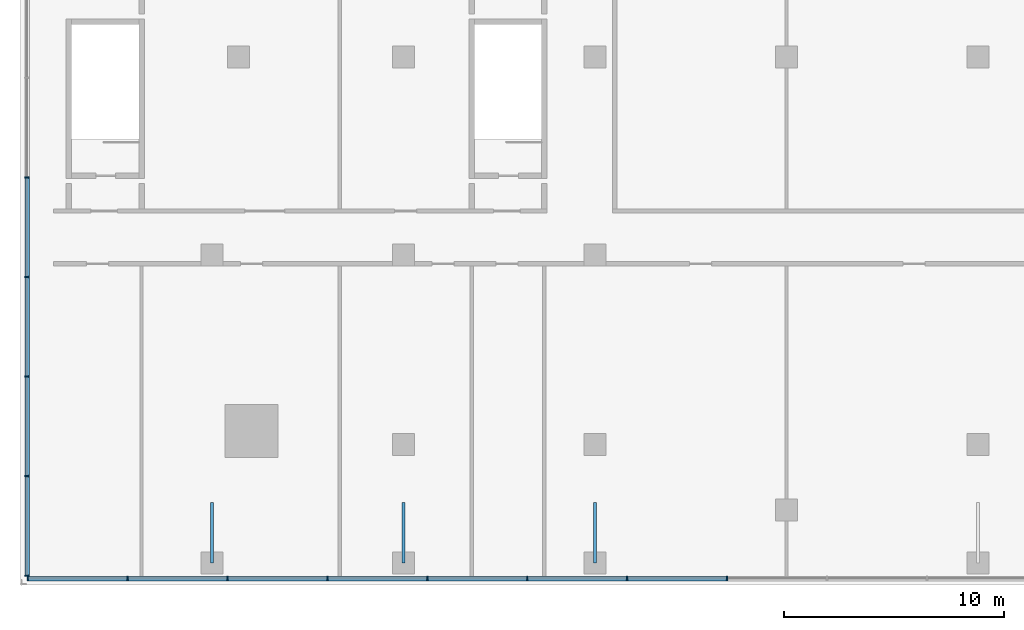
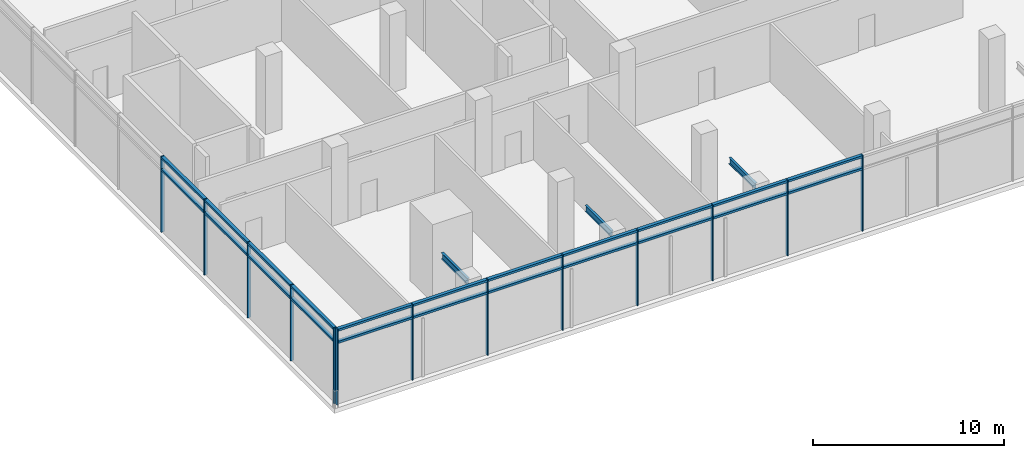
# One storey, part 2 of 17: 35 members, 3 beams, 2 elements without a shape of their own.
"""IFC4 building model written with IfcOpenShell, lengths in metres."""

import ifcopenshell
import ifcopenshell.guid

model = None  # the IFC model being written
_history = None  # IfcOwnerHistory: only IFC2X3 demands one
_inside = {}  # id of a spatial element -> (the spatial element, [elements in it])
_under = {}  # id of a project, library or spatial element -> (it, [spatial elements below it])
_declared = {}  # id of a project -> (the project, [libraries it declares])
_typed = {}  # id of a type object -> (the type object, [elements of that type])
_made_of = {}  # id of a material, layer set ... -> (it, [elements and type objects made of it])


def new_model(schema):
    """Start an empty IFC model of exactly this schema.

    Asked for "IFC4X3", IfcOpenShell would pick the latest addendum, in which some entities
    have other attributes; the version numbers below select the first issue.
    IFC2X3 requires an IfcOwnerHistory on every rooted entity: one is made here for all.
    """
    global model, _history
    if schema == "IFC4X3":
        model = ifcopenshell.file(schema_version=(4, 3, 0, 0))
    else:
        model = ifcopenshell.file(schema=schema)
    _inside.clear()
    _under.clear()
    _declared.clear()
    _typed.clear()
    _made_of.clear()
    _history = None
    if model.schema == "IFC2X3":
        org = make("IfcOrganization", Name="unknown")
        user = make(
            "IfcPersonAndOrganization",
            ThePerson=make("IfcPerson", FamilyName="unknown"),
            TheOrganization=org,
        )
        app = make(
            "IfcApplication",
            ApplicationDeveloper=org,
            Version="unknown",
            ApplicationFullName="unknown",
            ApplicationIdentifier="unknown",
        )
        _history = make(
            "IfcOwnerHistory",
            OwningUser=user,
            OwningApplication=app,
            ChangeAction="ADDED",
            CreationDate=0,
        )
    return model


def make(cls, **values):
    """One entity of the class cls with the attributes given. An attribute that is None is left unset."""
    return model.create_entity(
        cls, **{name: value for name, value in values.items() if value is not None}
    )


def rooted(cls, **values):
    """An entity with a GlobalId (a new one), such as an element, a storey or a relation."""
    return make(cls, GlobalId=ifcopenshell.guid.new(), OwnerHistory=_history, **values)


def si_unit(unit_type, name, prefix=None):
    """IfcSIUnit, for example si_unit("LENGTHUNIT", "METRE", prefix="MILLI")."""
    return make("IfcSIUnit", UnitType=unit_type, Prefix=prefix, Name=name)


def assignment(units):
    """IfcUnitAssignment: the units of a project."""
    return None if units is None else make("IfcUnitAssignment", Units=units)


def point(xyz):
    """IfcCartesianPoint."""
    return None if xyz is None else make("IfcCartesianPoint", Coordinates=xyz)


def direction(xyz):
    """IfcDirection."""
    return None if xyz is None else make("IfcDirection", DirectionRatios=xyz)


def frame(location, z_axis=None, x_axis=None):
    """IfcAxis2Placement3D, a coordinate frame: its origin and axes. An axis left out is left unset."""
    return make(
        "IfcAxis2Placement3D",
        Location=point(location),
        Axis=direction(z_axis),
        RefDirection=direction(x_axis),
    )


def frame_2d(location, x_axis=None):
    """IfcAxis2Placement2D, a coordinate frame in the plane: its origin and x axis."""
    return make(
        "IfcAxis2Placement2D", Location=point(location), RefDirection=direction(x_axis)
    )


def origin():
    """The frame at (0, 0, 0) with its axes left unset."""
    return frame((0.0, 0.0, 0.0))


def origin_2d():
    """The frame at (0, 0) in the plane with its x axis left unset."""
    return frame_2d((0.0, 0.0))


def place(relative_to, where):
    """IfcLocalPlacement: puts the frame where relative to a parent placement (None: the world)."""
    return make(
        "IfcLocalPlacement", PlacementRelTo=relative_to, RelativePlacement=where
    )


def context(
    kind, dimensions, precision=None, world=None, true_north=None, identifier=None
):
    """IfcGeometricRepresentationContext, for example the 3D "Model" context."""
    return make(
        "IfcGeometricRepresentationContext",
        ContextIdentifier=identifier,
        ContextType=kind,
        CoordinateSpaceDimension=dimensions,
        Precision=precision,
        WorldCoordinateSystem=world,
        TrueNorth=true_north,
    )


def subcontext(parent, identifier, kind, view, scale=None):
    """IfcGeometricRepresentationSubContext, for example "Body" below "Model"."""
    return make(
        "IfcGeometricRepresentationSubContext",
        ContextIdentifier=identifier,
        ContextType=kind,
        ParentContext=parent,
        TargetScale=scale,
        TargetView=view,
    )


def project(units=None, contexts=None):
    """IfcProject with its units and contexts."""
    return rooted(
        "IfcProject",
        Name="project",
        RepresentationContexts=contexts,
        UnitsInContext=assignment(units),
    )


def spatial(cls, under=None, at=None, **own):
    """A site, building, storey or space (cls), placed at a placement, below another one or the project."""
    s = rooted(cls, ObjectPlacement=at, **own)
    if under is not None:
        _under.setdefault(under.id(), (under, []))[1].append(s)
    return s


def profile(cls, at=None, kind="AREA", **sizes):
    """A parametric profile (cls). Its sizes go by their IFC names, for example OverallWidth=200.0."""
    return make(cls, ProfileType=kind, Position=at, **sizes)


def rectangle(**sizes):
    """IfcRectangleProfileDef."""
    return profile("IfcRectangleProfileDef", **sizes)


def i_section(**sizes):
    """IfcIShapeProfileDef."""
    return profile("IfcIShapeProfileDef", **sizes)


def extrude(swept, where, along, depth):
    """IfcExtrudedAreaSolid: the profile swept, set in the frame where, extruded along a direction by depth."""
    return make(
        "IfcExtrudedAreaSolid",
        SweptArea=swept,
        Position=where,
        ExtrudedDirection=direction(along),
        Depth=depth,
    )


def shape(context_of_items, identifier, shape_type, items):
    """IfcShapeRepresentation: the items that make up one representation, for example the "Body"."""
    return make(
        "IfcShapeRepresentation",
        ContextOfItems=context_of_items,
        RepresentationIdentifier=identifier,
        RepresentationType=shape_type,
        Items=items,
    )


def material(Name=None, Category=None):
    """IfcMaterial."""
    return make("IfcMaterial", Name=Name, Category=Category)


def material_profile(
    of_material, cross_section, Name=None, Category=None, Priority=None
):
    """IfcMaterialProfile: a cross section and its material."""
    return make(
        "IfcMaterialProfile",
        Name=Name,
        Material=of_material,
        Profile=cross_section,
        Priority=Priority,
        Category=Category,
    )


def profile_set(profiles, Name=None, composite=None):
    """IfcMaterialProfileSet."""
    return make(
        "IfcMaterialProfileSet",
        Name=Name,
        MaterialProfiles=profiles,
        CompositeProfile=composite,
    )


def made_of(thing, what):
    """Note that an element or type object is made of a material, layer set ...; save() writes the relation."""
    if what is not None:
        _made_of.setdefault(what.id(), (what, []))[1].append(thing)
    return thing


def type_object(cls, material=None, **own):
    """A type object (cls), such as IfcWallType, which elements share."""
    return made_of(rooted(cls, **own), material)


def element(
    cls,
    number,
    at=None,
    inside=None,
    cuts=None,
    type_object=None,
    material=None,
    context=None,
    identifier="Body",
    shape_type=None,
    held_by="IfcProductDefinitionShape",
    body=None,
    shapes=None,
    **own,
):
    """One element of the class cls, such as IfcWall. Its Tag is "e" and its number.

    at: its placement. inside: the storey or other place that contains it. cuts: it is an
    opening in that element (IfcRelVoidsElement). A single representation is given by context,
    identifier, shape_type and body (its items); several are given by shapes. held_by: the class
    of the entity that holds the representations. save() writes the other relations.
    """
    e = rooted(cls, Tag="e%d" % number, ObjectPlacement=at, **own)
    if body is not None:
        shapes = [shape(context, identifier, shape_type, body)]
    if shapes is not None:
        e.Representation = make(held_by, Representations=shapes)
    if inside is not None:
        _inside.setdefault(inside.id(), (inside, []))[1].append(e)
    if cuts is not None:
        rooted(
            "IfcRelVoidsElement", RelatingBuildingElement=cuts, RelatedOpeningElement=e
        )
    if type_object is not None:
        _typed.setdefault(type_object.id(), (type_object, []))[1].append(e)
    return made_of(e, material)


def aggregate(whole, parts):
    """IfcRelAggregates: a whole, such as a stair, and the parts it consists of."""
    return rooted("IfcRelAggregates", RelatingObject=whole, RelatedObjects=parts)


def save(model, path):
    """Write the relations noted so far, then the file.

    IfcRelAggregates (storeys below a building ...), IfcRelContainedInSpatialStructure (elements
    in a storey), IfcRelDefinesByType, IfcRelAssociatesMaterial and IfcRelDeclares: one each for
    every whole, place, type object, material and project.
    """
    for whole, parts in _under.values():
        aggregate(whole, parts)
    for where, things in _inside.values():
        rooted(
            "IfcRelContainedInSpatialStructure",
            RelatedElements=things,
            RelatingStructure=where,
        )
    for kind, things in _typed.values():
        rooted("IfcRelDefinesByType", RelatedObjects=things, RelatingType=kind)
    for what, things in _made_of.values():
        rooted("IfcRelAssociatesMaterial", RelatedObjects=things, RelatingMaterial=what)
    for by, libraries in _declared.values():
        rooted("IfcRelDeclares", RelatingContext=by, RelatedDefinitions=libraries)
    model.write(path)


model = new_model("IFC4")

# Units and contexts
model_context = context("Model", 3, precision=1e-05, world=origin(), true_north=direction((0.0, 1.0)))
body_context = subcontext(model_context, "Body", "Model", "MODEL_VIEW")
ifc_project = project(units=[si_unit("LENGTHUNIT", "METRE"), si_unit("AREAUNIT", "SQUARE_METRE"), si_unit("VOLUMEUNIT", "CUBIC_METRE"), si_unit("PLANEANGLEUNIT", "RADIAN"), si_unit("MASSUNIT", "GRAM", prefix="KILO")], contexts=[model_context])

# Site, building, storey
site_placement = place(None, origin())
site = spatial("IfcSite", under=ifc_project, at=site_placement, CompositionType="ELEMENT")
building_placement = place(site_placement, origin())
building = spatial("IfcBuilding", under=site, at=building_placement, Name="Bicima Exchange Tower", CompositionType="ELEMENT")
storey_placement = place(building_placement, frame((0.0, 0.0, 30.0)))
storey = spatial("IfcBuildingStorey", under=building, at=storey_placement, Name="L05", CompositionType="ELEMENT", Elevation=30.0)

# Curtain wall, members
ifc_material_1 = material(Name="Anodised bronze aluminium", Category="aluminium")
curtain_wall_type = type_object("IfcCurtainWallType", Name="Lobby glazing", PredefinedType="NOTDEFINED", material=ifc_material_1)
curtain_wall_1_placement = place(storey_placement, origin())
curtain_wall_1 = element("IfcCurtainWall", 1, at=curtain_wall_1_placement, inside=storey, type_object=curtain_wall_type, Name="Podium glazing L05 south 1", PredefinedType="NOTDEFINED")
ifc_material_profile_1 = material_profile(ifc_material_1, rectangle(XDim=0.199951171875, YDim=0.06005859375, at=origin_2d()))
ifc_profile_set_1 = profile_set([ifc_material_profile_1], Name="Anodised bronze aluminium")
member_type_1 = type_object("IfcMemberType", Name="Lobby glazing mullion 60 x 200", PredefinedType="MULLION", material=ifc_profile_set_1)
member_1_placement = place(storey_placement, frame((-43.169921875, -45.699951171875, 0.0), z_axis=(0.0, 0.0, 1.0), x_axis=(0.0, 1.0, 0.0)))
member_1 = element("IfcMember", 2, at=member_1_placement, type_object=member_type_1, Name="Lobby glazing mullion 1", PredefinedType="MULLION", context=body_context, shape_type="SweptSolid", body=[
    extrude(rectangle(XDim=0.199951171875, YDim=0.06005859375, at=origin_2d()), origin(), (0.0, 0.0, 1.0), 4.85009765625),
])
member_2_placement = place(storey_placement, frame((-38.631103515625, -45.699951171875, 0.0), z_axis=(0.0, 0.0, 1.0), x_axis=(0.0, 1.0, 0.0)))
member_2 = element("IfcMember", 3, at=member_2_placement, type_object=member_type_1, Name="Lobby glazing mullion 2", PredefinedType="MULLION", context=body_context, shape_type="SweptSolid", body=[
    extrude(rectangle(XDim=0.199951171875, YDim=0.06005859375, at=origin_2d()), origin(), (0.0, 0.0, 1.0), 4.85009765625),
])
member_3_placement = place(storey_placement, frame((-34.092041015625, -45.699951171875, 0.0), z_axis=(0.0, 0.0, 1.0), x_axis=(0.0, 1.0, 0.0)))
member_3 = element("IfcMember", 4, at=member_3_placement, type_object=member_type_1, Name="Lobby glazing mullion 3", PredefinedType="MULLION", context=body_context, shape_type="SweptSolid", body=[
    extrude(rectangle(XDim=0.199951171875, YDim=0.06005859375, at=origin_2d()), origin(), (0.0, 0.0, 1.0), 4.85009765625),
])
member_4_placement = place(storey_placement, frame((-29.55322265625, -45.699951171875, 0.0), z_axis=(0.0, 0.0, 1.0), x_axis=(0.0, 1.0, 0.0)))
member_4 = element("IfcMember", 5, at=member_4_placement, type_object=member_type_1, Name="Lobby glazing mullion 4", PredefinedType="MULLION", context=body_context, shape_type="SweptSolid", body=[
    extrude(rectangle(XDim=0.199951171875, YDim=0.06005859375, at=origin_2d()), origin(), (0.0, 0.0, 1.0), 4.85009765625),
])
member_5_placement = place(storey_placement, frame((-25.01416015625, -45.699951171875, 0.0), z_axis=(0.0, 0.0, 1.0), x_axis=(0.0, 1.0, 0.0)))
member_5 = element("IfcMember", 6, at=member_5_placement, type_object=member_type_1, Name="Lobby glazing mullion 5", PredefinedType="MULLION", context=body_context, shape_type="SweptSolid", body=[
    extrude(rectangle(XDim=0.199951171875, YDim=0.06005859375, at=origin_2d()), origin(), (0.0, 0.0, 1.0), 4.85009765625),
])
member_6_placement = place(storey_placement, frame((-20.475341796875, -45.699951171875, 0.0), z_axis=(0.0, 0.0, 1.0), x_axis=(0.0, 1.0, 0.0)))
member_6 = element("IfcMember", 7, at=member_6_placement, type_object=member_type_1, Name="Lobby glazing mullion 6", PredefinedType="MULLION", context=body_context, shape_type="SweptSolid", body=[
    extrude(rectangle(XDim=0.199951171875, YDim=0.06005859375, at=origin_2d()), origin(), (0.0, 0.0, 1.0), 4.85009765625),
])
member_7_placement = place(storey_placement, frame((-15.936279296875, -45.699951171875, 0.0), z_axis=(0.0, 0.0, 1.0), x_axis=(0.0, 1.0, 0.0)))
member_7 = element("IfcMember", 8, at=member_7_placement, type_object=member_type_1, Name="Lobby glazing mullion 7", PredefinedType="MULLION", context=body_context, shape_type="SweptSolid", body=[
    extrude(rectangle(XDim=0.199951171875, YDim=0.06005859375, at=origin_2d()), origin(), (0.0, 0.0, 1.0), 4.85009765625),
])
member_8_placement = place(storey_placement, frame((-11.3974609375, -45.699951171875, 0.0), z_axis=(0.0, 0.0, 1.0), x_axis=(0.0, 1.0, 0.0)))
member_8 = element("IfcMember", 9, at=member_8_placement, type_object=member_type_1, Name="Lobby glazing mullion 8", PredefinedType="MULLION", context=body_context, shape_type="SweptSolid", body=[
    extrude(rectangle(XDim=0.199951171875, YDim=0.06005859375, at=origin_2d()), origin(), (0.0, 0.0, 1.0), 4.85009765625),
])

curtain_wall_2_placement = place(storey_placement, origin())
curtain_wall_2 = element("IfcCurtainWall", 10, at=curtain_wall_2_placement, inside=storey, type_object=curtain_wall_type, Name="Podium glazing L05 west 1", PredefinedType="NOTDEFINED")
member_9_placement = place(storey_placement, frame((-43.199951171875, -27.47412109375, 0.0), z_axis=(0.0, 0.0, 1.0), x_axis=(1.0, 0.0, 0.0)))
member_9 = element("IfcMember", 11, at=member_9_placement, type_object=member_type_1, Name="Lobby glazing mullion 7", PredefinedType="MULLION", context=body_context, shape_type="SweptSolid", body=[
    extrude(rectangle(XDim=0.199951171875, YDim=0.06005859375, at=origin_2d()), origin(), (0.0, 0.0, 1.0), 4.85009765625),
])
member_10_placement = place(storey_placement, frame((-43.199951171875, -31.998046875, 0.0), z_axis=(0.0, 0.0, 1.0), x_axis=(1.0, 0.0, 0.0)))
member_10 = element("IfcMember", 12, at=member_10_placement, type_object=member_type_1, Name="Lobby glazing mullion 8", PredefinedType="MULLION", context=body_context, shape_type="SweptSolid", body=[
    extrude(rectangle(XDim=0.199951171875, YDim=0.06005859375, at=origin_2d()), origin(), (0.0, 0.0, 1.0), 4.85009765625),
])
member_11_placement = place(storey_placement, frame((-43.199951171875, -36.52197265625, 0.0), z_axis=(0.0, 0.0, 1.0), x_axis=(1.0, 0.0, 0.0)))
member_11 = element("IfcMember", 13, at=member_11_placement, type_object=member_type_1, Name="Lobby glazing mullion 9", PredefinedType="MULLION", context=body_context, shape_type="SweptSolid", body=[
    extrude(rectangle(XDim=0.199951171875, YDim=0.06005859375, at=origin_2d()), origin(), (0.0, 0.0, 1.0), 4.85009765625),
])
member_12_placement = place(storey_placement, frame((-43.199951171875, -41.0458984375, 0.0), z_axis=(0.0, 0.0, 1.0), x_axis=(1.0, 0.0, 0.0)))
member_12 = element("IfcMember", 14, at=member_12_placement, type_object=member_type_1, Name="Lobby glazing mullion 10", PredefinedType="MULLION", context=body_context, shape_type="SweptSolid", body=[
    extrude(rectangle(XDim=0.199951171875, YDim=0.06005859375, at=origin_2d()), origin(), (0.0, 0.0, 1.0), 4.85009765625),
])
member_13_placement = place(storey_placement, frame((-43.199951171875, -45.570068359375, 0.0), z_axis=(0.0, 0.0, 1.0), x_axis=(1.0, 0.0, 0.0)))
member_13 = element("IfcMember", 15, at=member_13_placement, type_object=member_type_1, Name="Lobby glazing mullion 11", PredefinedType="MULLION", context=body_context, shape_type="SweptSolid", body=[
    extrude(rectangle(XDim=0.199951171875, YDim=0.06005859375, at=origin_2d()), origin(), (0.0, 0.0, 1.0), 4.85009765625),
])

# Member
ifc_material_profile_2 = material_profile(ifc_material_1, rectangle(XDim=0.199951171875, YDim=0.139892578125, at=origin_2d()))
ifc_profile_set_2 = profile_set([ifc_material_profile_2], Name="Anodised bronze aluminium")
member_type_2 = type_object("IfcMemberType", Name="Lobby glazing transom 140 x 200", PredefinedType="USERDEFINED", material=ifc_profile_set_2)
member_14_placement = place(storey_placement, frame((-43.139892578125, -45.699951171875, 4.0), z_axis=(1.0, 0.0, 0.0), x_axis=(0.0, 1.0, 0.0)))
member_14 = element("IfcMember", 16, at=member_14_placement, type_object=member_type_2, Name="Lobby glazing transom 1.1", ObjectType="TRANSOM", PredefinedType="USERDEFINED", context=body_context, shape_type="SweptSolid", body=[
    extrude(rectangle(XDim=0.199951171875, YDim=0.139892578125, at=origin_2d()), origin(), (0.0, 0.0, 1.0), 4.478759765625),
])

member_15_placement = place(storey_placement, frame((-43.139892578125, -45.699951171875, 4.780029296875), z_axis=(1.0, 0.0, 0.0), x_axis=(0.0, 1.0, 0.0)))
member_15 = element("IfcMember", 17, at=member_15_placement, type_object=member_type_2, Name="Lobby glazing transom 1.2", ObjectType="TRANSOM", PredefinedType="USERDEFINED", context=body_context, shape_type="SweptSolid", body=[
    extrude(rectangle(XDim=0.199951171875, YDim=0.139892578125, at=origin_2d()), origin(), (0.0, 0.0, 1.0), 4.478759765625),
])

member_16_placement = place(storey_placement, frame((-38.60107421875, -45.699951171875, 4.0), z_axis=(1.0, 0.0, 0.0), x_axis=(0.0, 1.0, 0.0)))
member_16 = element("IfcMember", 18, at=member_16_placement, type_object=member_type_2, Name="Lobby glazing transom 2.1", ObjectType="TRANSOM", PredefinedType="USERDEFINED", context=body_context, shape_type="SweptSolid", body=[
    extrude(rectangle(XDim=0.199951171875, YDim=0.139892578125, at=origin_2d()), origin(), (0.0, 0.0, 1.0), 4.47900390625),
])

member_17_placement = place(storey_placement, frame((-38.60107421875, -45.699951171875, 4.780029296875), z_axis=(1.0, 0.0, 0.0), x_axis=(0.0, 1.0, 0.0)))
member_17 = element("IfcMember", 19, at=member_17_placement, type_object=member_type_2, Name="Lobby glazing transom 2.2", ObjectType="TRANSOM", PredefinedType="USERDEFINED", context=body_context, shape_type="SweptSolid", body=[
    extrude(rectangle(XDim=0.199951171875, YDim=0.139892578125, at=origin_2d()), origin(), (0.0, 0.0, 1.0), 4.47900390625),
])

member_18_placement = place(storey_placement, frame((-34.06201171875, -45.699951171875, 4.0), z_axis=(1.0, 0.0, 0.0), x_axis=(0.0, 1.0, 0.0)))
member_18 = element("IfcMember", 20, at=member_18_placement, type_object=member_type_2, Name="Lobby glazing transom 3.1", ObjectType="TRANSOM", PredefinedType="USERDEFINED", context=body_context, shape_type="SweptSolid", body=[
    extrude(rectangle(XDim=0.199951171875, YDim=0.139892578125, at=origin_2d()), origin(), (0.0, 0.0, 1.0), 4.478759765625),
])

member_19_placement = place(storey_placement, frame((-34.06201171875, -45.699951171875, 4.780029296875), z_axis=(1.0, 0.0, 0.0), x_axis=(0.0, 1.0, 0.0)))
member_19 = element("IfcMember", 21, at=member_19_placement, type_object=member_type_2, Name="Lobby glazing transom 3.2", ObjectType="TRANSOM", PredefinedType="USERDEFINED", context=body_context, shape_type="SweptSolid", body=[
    extrude(rectangle(XDim=0.199951171875, YDim=0.139892578125, at=origin_2d()), origin(), (0.0, 0.0, 1.0), 4.478759765625),
])

member_20_placement = place(storey_placement, frame((-29.523193359375, -45.699951171875, 4.0), z_axis=(1.0, 0.0, 0.0), x_axis=(0.0, 1.0, 0.0)))
member_20 = element("IfcMember", 22, at=member_20_placement, type_object=member_type_2, Name="Lobby glazing transom 4.1", ObjectType="TRANSOM", PredefinedType="USERDEFINED", context=body_context, shape_type="SweptSolid", body=[
    extrude(rectangle(XDim=0.199951171875, YDim=0.139892578125, at=origin_2d()), origin(), (0.0, 0.0, 1.0), 4.47900390625),
])

member_21_placement = place(storey_placement, frame((-29.523193359375, -45.699951171875, 4.780029296875), z_axis=(1.0, 0.0, 0.0), x_axis=(0.0, 1.0, 0.0)))
member_21 = element("IfcMember", 23, at=member_21_placement, type_object=member_type_2, Name="Lobby glazing transom 4.2", ObjectType="TRANSOM", PredefinedType="USERDEFINED", context=body_context, shape_type="SweptSolid", body=[
    extrude(rectangle(XDim=0.199951171875, YDim=0.139892578125, at=origin_2d()), origin(), (0.0, 0.0, 1.0), 4.47900390625),
])

member_22_placement = place(storey_placement, frame((-24.984130859375, -45.699951171875, 4.0), z_axis=(1.0, 0.0, 0.0), x_axis=(0.0, 1.0, 0.0)))
member_22 = element("IfcMember", 24, at=member_22_placement, type_object=member_type_2, Name="Lobby glazing transom 5.1", ObjectType="TRANSOM", PredefinedType="USERDEFINED", context=body_context, shape_type="SweptSolid", body=[
    extrude(rectangle(XDim=0.199951171875, YDim=0.139892578125, at=origin_2d()), origin(), (0.0, 0.0, 1.0), 4.478759765625),
])

member_23_placement = place(storey_placement, frame((-24.984130859375, -45.699951171875, 4.780029296875), z_axis=(1.0, 0.0, 0.0), x_axis=(0.0, 1.0, 0.0)))
member_23 = element("IfcMember", 25, at=member_23_placement, type_object=member_type_2, Name="Lobby glazing transom 5.2", ObjectType="TRANSOM", PredefinedType="USERDEFINED", context=body_context, shape_type="SweptSolid", body=[
    extrude(rectangle(XDim=0.199951171875, YDim=0.139892578125, at=origin_2d()), origin(), (0.0, 0.0, 1.0), 4.478759765625),
])

member_24_placement = place(storey_placement, frame((-20.4453125, -45.699951171875, 4.0), z_axis=(1.0, 0.0, 0.0), x_axis=(0.0, 1.0, 0.0)))
member_24 = element("IfcMember", 26, at=member_24_placement, type_object=member_type_2, Name="Lobby glazing transom 6.1", ObjectType="TRANSOM", PredefinedType="USERDEFINED", context=body_context, shape_type="SweptSolid", body=[
    extrude(rectangle(XDim=0.199951171875, YDim=0.139892578125, at=origin_2d()), origin(), (0.0, 0.0, 1.0), 4.47900390625),
])

member_25_placement = place(storey_placement, frame((-20.4453125, -45.699951171875, 4.780029296875), z_axis=(1.0, 0.0, 0.0), x_axis=(0.0, 1.0, 0.0)))
member_25 = element("IfcMember", 27, at=member_25_placement, type_object=member_type_2, Name="Lobby glazing transom 6.2", ObjectType="TRANSOM", PredefinedType="USERDEFINED", context=body_context, shape_type="SweptSolid", body=[
    extrude(rectangle(XDim=0.199951171875, YDim=0.139892578125, at=origin_2d()), origin(), (0.0, 0.0, 1.0), 4.47900390625),
])

member_26_placement = place(storey_placement, frame((-15.90625, -45.699951171875, 4.0), z_axis=(1.0, 0.0, 0.0), x_axis=(0.0, 1.0, 0.0)))
member_26 = element("IfcMember", 28, at=member_26_placement, type_object=member_type_2, Name="Lobby glazing transom 7.1", ObjectType="TRANSOM", PredefinedType="USERDEFINED", context=body_context, shape_type="SweptSolid", body=[
    extrude(rectangle(XDim=0.199951171875, YDim=0.139892578125, at=origin_2d()), origin(), (0.0, 0.0, 1.0), 4.478759765625),
])

member_27_placement = place(storey_placement, frame((-15.90625, -45.699951171875, 4.780029296875), z_axis=(1.0, 0.0, 0.0), x_axis=(0.0, 1.0, 0.0)))
member_27 = element("IfcMember", 29, at=member_27_placement, type_object=member_type_2, Name="Lobby glazing transom 7.2", ObjectType="TRANSOM", PredefinedType="USERDEFINED", context=body_context, shape_type="SweptSolid", body=[
    extrude(rectangle(XDim=0.199951171875, YDim=0.139892578125, at=origin_2d()), origin(), (0.0, 0.0, 1.0), 4.478759765625),
])

aggregate(curtain_wall_1, [member_1, member_2, member_3, member_4, member_5, member_6, member_7, member_8, member_14, member_15, member_16, member_17, member_18, member_19, member_20, member_21, member_22, member_23, member_24, member_25, member_26, member_27])

member_28_placement = place(storey_placement, frame((-43.199951171875, -27.50390625, 4.0), z_axis=(0.0, -1.0, 0.0), x_axis=(1.0, 0.0, 0.0)))
member_28 = element("IfcMember", 30, at=member_28_placement, type_object=member_type_2, Name="Lobby glazing transom 7.1", ObjectType="TRANSOM", PredefinedType="USERDEFINED", context=body_context, shape_type="SweptSolid", body=[
    extrude(rectangle(XDim=0.199951171875, YDim=0.139892578125, at=origin_2d()), origin(), (0.0, 0.0, 1.0), 4.464111328125),
])

member_29_placement = place(storey_placement, frame((-43.199951171875, -27.50390625, 4.780029296875), z_axis=(0.0, -1.0, 0.0), x_axis=(1.0, 0.0, 0.0)))
member_29 = element("IfcMember", 31, at=member_29_placement, type_object=member_type_2, Name="Lobby glazing transom 7.2", ObjectType="TRANSOM", PredefinedType="USERDEFINED", context=body_context, shape_type="SweptSolid", body=[
    extrude(rectangle(XDim=0.199951171875, YDim=0.139892578125, at=origin_2d()), origin(), (0.0, 0.0, 1.0), 4.464111328125),
])

member_30_placement = place(storey_placement, frame((-43.199951171875, -32.028076171875, 4.0), z_axis=(0.0, -1.0, 0.0), x_axis=(1.0, 0.0, 0.0)))
member_30 = element("IfcMember", 32, at=member_30_placement, type_object=member_type_2, Name="Lobby glazing transom 8.1", ObjectType="TRANSOM", PredefinedType="USERDEFINED", context=body_context, shape_type="SweptSolid", body=[
    extrude(rectangle(XDim=0.199951171875, YDim=0.139892578125, at=origin_2d()), origin(), (0.0, 0.0, 1.0), 4.4638671875),
])

member_31_placement = place(storey_placement, frame((-43.199951171875, -32.028076171875, 4.780029296875), z_axis=(0.0, -1.0, 0.0), x_axis=(1.0, 0.0, 0.0)))
member_31 = element("IfcMember", 33, at=member_31_placement, type_object=member_type_2, Name="Lobby glazing transom 8.2", ObjectType="TRANSOM", PredefinedType="USERDEFINED", context=body_context, shape_type="SweptSolid", body=[
    extrude(rectangle(XDim=0.199951171875, YDim=0.139892578125, at=origin_2d()), origin(), (0.0, 0.0, 1.0), 4.4638671875),
])

member_32_placement = place(storey_placement, frame((-43.199951171875, -36.552001953125, 4.0), z_axis=(0.0, -1.0, 0.0), x_axis=(1.0, 0.0, 0.0)))
member_32 = element("IfcMember", 34, at=member_32_placement, type_object=member_type_2, Name="Lobby glazing transom 9.1", ObjectType="TRANSOM", PredefinedType="USERDEFINED", context=body_context, shape_type="SweptSolid", body=[
    extrude(rectangle(XDim=0.199951171875, YDim=0.139892578125, at=origin_2d()), origin(), (0.0, 0.0, 1.0), 4.464111328125),
])

member_33_placement = place(storey_placement, frame((-43.199951171875, -36.552001953125, 4.780029296875), z_axis=(0.0, -1.0, 0.0), x_axis=(1.0, 0.0, 0.0)))
member_33 = element("IfcMember", 35, at=member_33_placement, type_object=member_type_2, Name="Lobby glazing transom 9.2", ObjectType="TRANSOM", PredefinedType="USERDEFINED", context=body_context, shape_type="SweptSolid", body=[
    extrude(rectangle(XDim=0.199951171875, YDim=0.139892578125, at=origin_2d()), origin(), (0.0, 0.0, 1.0), 4.464111328125),
])

member_34_placement = place(storey_placement, frame((-43.199951171875, -41.075927734375, 4.0), z_axis=(0.0, -1.0, 0.0), x_axis=(1.0, 0.0, 0.0)))
member_34 = element("IfcMember", 36, at=member_34_placement, type_object=member_type_2, Name="Lobby glazing transom 10.1", ObjectType="TRANSOM", PredefinedType="USERDEFINED", context=body_context, shape_type="SweptSolid", body=[
    extrude(rectangle(XDim=0.199951171875, YDim=0.139892578125, at=origin_2d()), origin(), (0.0, 0.0, 1.0), 4.464111328125),
])

member_35_placement = place(storey_placement, frame((-43.199951171875, -41.075927734375, 4.780029296875), z_axis=(0.0, -1.0, 0.0), x_axis=(1.0, 0.0, 0.0)))
member_35 = element("IfcMember", 37, at=member_35_placement, type_object=member_type_2, Name="Lobby glazing transom 10.2", ObjectType="TRANSOM", PredefinedType="USERDEFINED", context=body_context, shape_type="SweptSolid", body=[
    extrude(rectangle(XDim=0.199951171875, YDim=0.139892578125, at=origin_2d()), origin(), (0.0, 0.0, 1.0), 4.464111328125),
])

aggregate(curtain_wall_2, [member_9, member_10, member_11, member_12, member_13, member_28, member_29, member_30, member_31, member_32, member_33, member_34, member_35])

# Beams
ifc_material_2 = material(Name="Steel ASTM A992 Gr 50", Category="steel")
ifc_material_profile_3 = material_profile(ifc_material_2, i_section(OverallWidth=0.140380859375, OverallDepth=0.40380859375, WebThickness=0.007080078125, FlangeThickness=0.01123046875, at=origin_2d()))
ifc_profile_set_3 = profile_set([ifc_material_profile_3], Name="Steel ASTM A992 Gr 50")
beam_type = type_object("IfcBeamType", Name="Podium roof cantilever beam W16x31", PredefinedType="BEAM", material=ifc_profile_set_3)
for number, where, z_axis, x_axis, name in (
    (38, (-34.800048828125, -45.0, 4.498046875), (0.0, 1.0, 0.0), (-1.0, 0.0, 0.0), "Podium roof cantilever beam"),
    (39, (-26.10009765625, -45.0, 4.498046875), (0.0, 1.0, 0.0), (-1.0, 0.0, 0.0), "Podium roof cantilever beam"),
    (40, (-17.39990234375, -45.0, 4.498046875), (0.0, 1.0, 0.0), (-1.0, 0.0, 0.0), "Podium roof cantilever beam"),
):
    element("IfcBeam", number, at=place(storey_placement, frame(where, z_axis=z_axis, x_axis=x_axis)), inside=storey, type_object=beam_type, Name=name, PredefinedType="BEAM", context=body_context, shape_type="SweptSolid", body=[
        extrude(i_section(OverallWidth=0.140380859375, OverallDepth=0.40380859375, WebThickness=0.007080078125, FlangeThickness=0.01123046875, at=origin_2d()), origin(), (0.0, 0.0, 1.0), 2.75),
    ])

save(model, "model.ifc")
